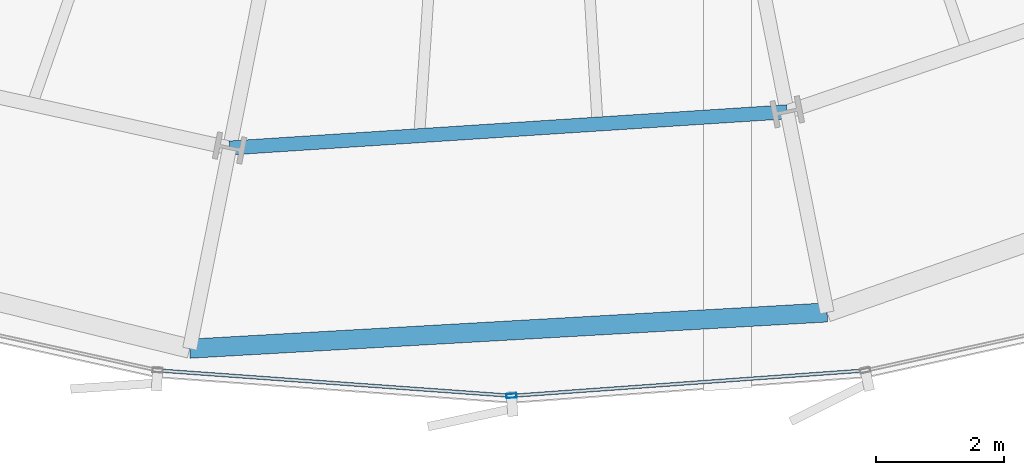
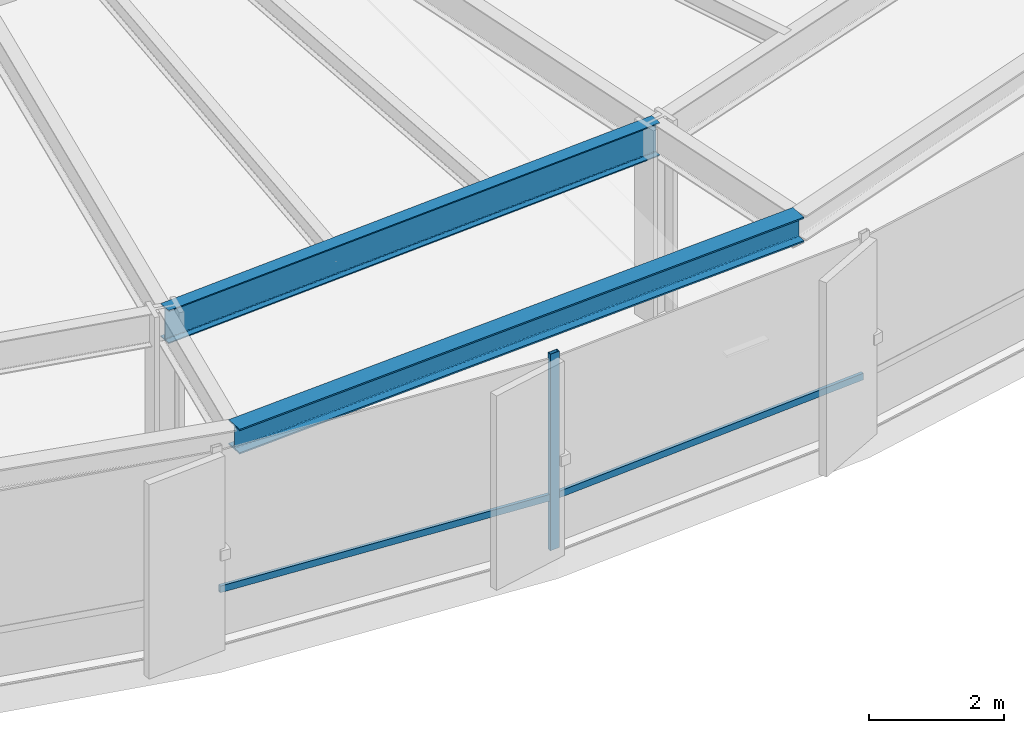
# One storey, part 10 of 38: 3 members, 2 beams, 1 element without a shape of its own.
"""IFC4 building model written with IfcOpenShell, lengths in metres."""

from ifc_helpers import new_model, si_unit, direction, frame, origin, origin_2d, place, context, subcontext, project, spatial, hollow_rectangle, i_section, extrude, source, transform, mapped, material, layer, layer_set, material_profile, profile_set, type_object, element, aggregate, save


model = new_model("IFC4")

# Units and contexts
model_context = context("Model", 3, precision=1e-05, world=origin(), true_north=direction((0.0, 1.0)))
body_context = subcontext(model_context, "Body", "Model", "MODEL_VIEW")
ifc_project = project(units=[si_unit("LENGTHUNIT", "METRE"), si_unit("AREAUNIT", "SQUARE_METRE"), si_unit("VOLUMEUNIT", "CUBIC_METRE"), si_unit("PLANEANGLEUNIT", "RADIAN"), si_unit("MASSUNIT", "GRAM", prefix="KILO"), si_unit("THERMODYNAMICTEMPERATUREUNIT", "KELVIN")], contexts=[model_context])

# Site, building, storey
site_placement = place(None, origin())
site = spatial("IfcSite", under=ifc_project, at=site_placement, CompositionType="ELEMENT")
building_placement = place(site_placement, origin())
building = spatial("IfcBuilding", under=site, at=building_placement, Name="Kethvar Cultural Tower", CompositionType="ELEMENT")
storey_placement = place(building_placement, frame((0.0, 0.0, 29.60009765625)))
storey = spatial("IfcBuildingStorey", under=building, at=storey_placement, Name="L06", CompositionType="ELEMENT", Elevation=29.60009765625)

# Beams
ifc_material_1 = material(Name="Steel S355J2", Category="steel")
ifc_material_profile_1 = material_profile(ifc_material_1, i_section(OverallWidth=0.219970703125, OverallDepth=0.60009765625, WebThickness=0.011962890625, FlangeThickness=0.01904296875, FilletRadius=0.02392578125, at=origin_2d()), Name="Steel S355J2 — IPE600")
ifc_profile_set_1 = profile_set([ifc_material_profile_1], Name="Steel S355J2 — IPE600")
beam_type_1 = type_object("IfcBeamType", Name="BM-IPE600", PredefinedType="BEAM", material=ifc_profile_set_1)
shared_shape_1 = source(origin(), body_context, "Body", "SweptSolid", [
    extrude(i_section(OverallWidth=0.219970703125, OverallDepth=0.60009765625, WebThickness=0.011962890625, FlangeThickness=0.01904296875, FilletRadius=0.02392578125, at=origin_2d()), origin(), (0.0, 0.0, 1.0), 8.739013671875),
])
beam_1_placement = place(storey_placement, frame((42.38330078125, 5.59619140625, 3.247802734375), z_axis=(0.997897424084, 0.064813046581, 0.0), x_axis=(-0.064813046581, 0.997897424084, 0.0)))
element("IfcBeam", 1, at=beam_1_placement, inside=storey, type_object=beam_type_1, Name="L06 Column Ring Tie Beam CR-12", PredefinedType="BEAM", context=body_context, shape_type="MappedRepresentation", body=[
    mapped(shared_shape_1, transform((0.0, 0.0, 0.0), scale=1.0)),
])
ifc_material_profile_2 = material_profile(ifc_material_1, i_section(OverallWidth=0.300048828125, OverallDepth=0.449951171875, WebThickness=0.013916015625, FlangeThickness=0.02587890625, FilletRadius=0.027099609375, at=origin_2d()), Name="Steel S355J2 — HEB450")
ifc_profile_set_2 = profile_set([ifc_material_profile_2], Name="Steel S355J2 — HEB450")
beam_type_2 = type_object("IfcBeamType", Name="BM-SP450", PredefinedType="SPANDREL", material=ifc_profile_set_2)
shared_shape_2 = source(origin(), body_context, "Body", "SweptSolid", [
    extrude(i_section(OverallWidth=0.300048828125, OverallDepth=0.449951171875, WebThickness=0.013916015625, FlangeThickness=0.02587890625, FilletRadius=0.027099609375, at=origin_2d()), origin(), (0.0, 0.0, 1.0), 9.9853515625),
])
beam_2_placement = place(storey_placement, frame((41.759033203125, 2.45751953125, 3.322998046875), z_axis=(0.998388517249, 0.056748291829, 0.0), x_axis=(-0.056748291829, 0.998388517249, 0.0)))
element("IfcBeam", 2, at=beam_2_placement, inside=storey, type_object=beam_type_2, Name="L06 Perimeter Spandrel Beam SP-12", PredefinedType="SPANDREL", context=body_context, shape_type="MappedRepresentation", body=[
    mapped(shared_shape_2, transform((0.0, 0.0, 0.0), scale=1.0)),
])

# Curtain wall, members
ifc_material_2 = material(Name="Aluminium 6063-T6", Category="aluminium")
ifc_layer = layer(ifc_material_2, 0.179931640625, Name="Aluminium 6063-T6", Category="aluminium")
ifc_layer_set = layer_set([ifc_layer], Name="Aluminium 6063-T6 (180 mm)")
curtain_wall_type = type_object("IfcCurtainWallType", Name="CW-SYS-02-Z1", PredefinedType="NOTDEFINED", material=ifc_layer_set)
curtain_wall_placement = place(storey_placement, origin())
curtain_wall = element("IfcCurtainWall", 3, at=curtain_wall_placement, inside=storey, type_object=curtain_wall_type, Name="L06 Curtain Wall Run 05", PredefinedType="NOTDEFINED")
ifc_material_profile_3 = material_profile(ifc_material_2, hollow_rectangle(XDim=0.06494140625, YDim=0.159912109375, WallThickness=0.0048828125, at=origin_2d()), Name="Aluminium 6063-T6 — RHS160x65x5")
ifc_profile_set_3 = profile_set([ifc_material_profile_3], Name="Aluminium 6063-T6 — RHS160x65x5")
member_type_1 = type_object("IfcMemberType", Name="CW-SYS-02-Z1-MUL", PredefinedType="MULLION", material=ifc_profile_set_3)
shared_shape_3 = source(origin(), body_context, "Body", "SweptSolid", [
    extrude(hollow_rectangle(XDim=0.06494140625, YDim=0.159912109375, WallThickness=0.0048828125, at=origin_2d()), origin(), (0.0, 0.0, 1.0), 3.5498046875),
])
member_1_placement = place(storey_placement, frame((46.79150390625, 1.7197265625, 0.0), z_axis=(0.0, 0.0, 1.0), x_axis=(-0.071532261541, 0.997438286592, 0.0)))
member_1 = element("IfcMember", 4, at=member_1_placement, type_object=member_type_1, Name="CW-L06-R05 Mullion 4", PredefinedType="MULLION", context=body_context, shape_type="MappedRepresentation", body=[
    mapped(shared_shape_3, transform((0.0, 0.0, 0.0), scale=1.0)),
])
ifc_material_profile_4 = material_profile(ifc_material_2, hollow_rectangle(XDim=0.054931640625, YDim=0.1201171875, WallThickness=0.00390625, at=origin_2d()), Name="Aluminium 6063-T6 — RHS120x55x4")
ifc_profile_set_4 = profile_set([ifc_material_profile_4], Name="Aluminium 6063-T6 — RHS120x55x4")
member_type_2 = type_object("IfcMemberType", Name="CW-SYS-02-Z1-TRN", PredefinedType="USERDEFINED", material=ifc_profile_set_4)
shared_shape_4 = source(origin(), body_context, "Body", "SweptSolid", [
    extrude(hollow_rectangle(XDim=0.054931640625, YDim=0.1201171875, WallThickness=0.00390625, at=origin_2d()), origin(), (0.0, 0.0, 1.0), 5.47021484375),
])
member_2_placement = place(storey_placement, frame((46.838134765625, 1.722900390625, 0.949951171875), z_axis=(0.997437587196, 0.071542013167, 0.0), x_axis=(-0.071542013167, 0.997437587196, 0.0)))
member_2 = element("IfcMember", 5, at=member_2_placement, type_object=member_type_2, Name="CW-L06-R05 Transom 4", ObjectType="TRANSOM", PredefinedType="USERDEFINED", context=body_context, shape_type="MappedRepresentation", body=[
    mapped(shared_shape_4, transform((0.0, 0.0, 0.0), scale=1.0)),
])
shared_shape_5 = source(origin(), body_context, "Body", "SweptSolid", [
    extrude(hollow_rectangle(XDim=0.054931640625, YDim=0.1201171875, WallThickness=0.00390625, at=origin_2d()), origin(), (0.0, 0.0, 1.0), 5.470458984375),
])
member_3_placement = place(storey_placement, frame((41.305419921875, 2.1142578125, 0.949951171875), z_axis=(0.997437815609, -0.071538828565, 0.0), x_axis=(0.071538828565, 0.997437815609, 0.0)))
member_3 = element("IfcMember", 6, at=member_3_placement, type_object=member_type_2, Name="CW-L06-R05 Transom 3", ObjectType="TRANSOM", PredefinedType="USERDEFINED", context=body_context, shape_type="MappedRepresentation", body=[
    mapped(shared_shape_5, transform((0.0, 0.0, 0.0), scale=1.0)),
])
aggregate(curtain_wall, [member_1, member_3, member_2])

save(model, "model.ifc")
